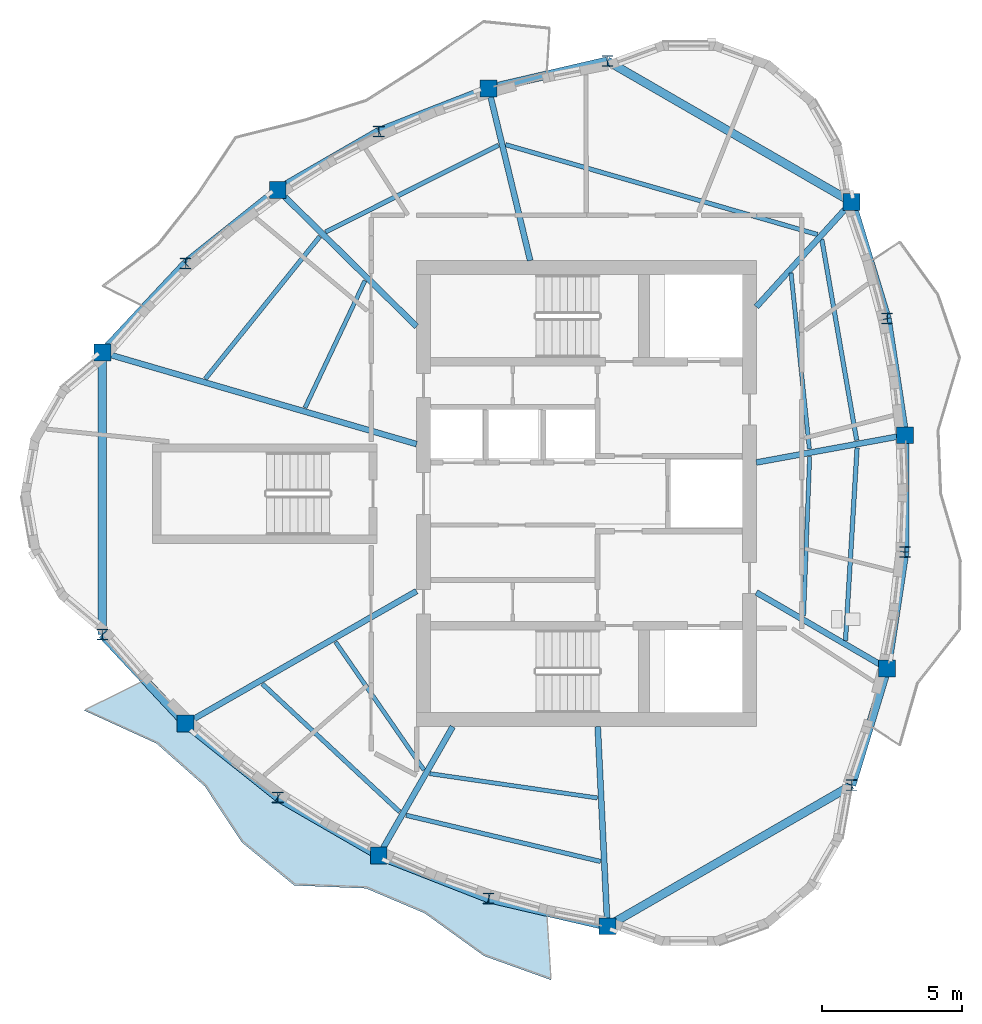
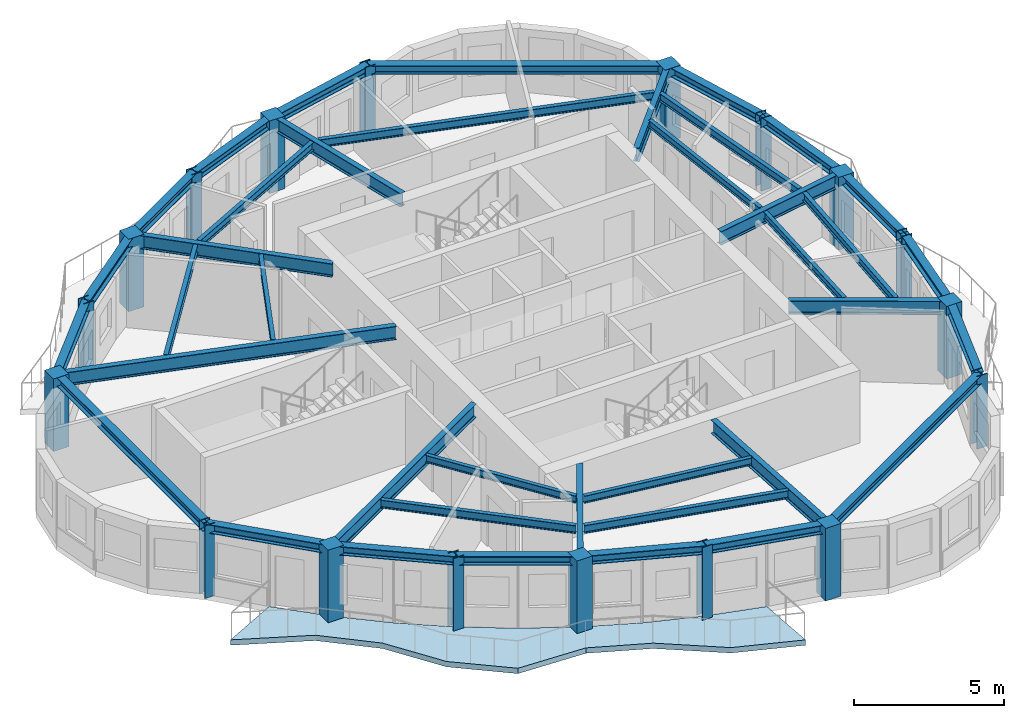
# One storey, part 1 of 11: 39 beams, 18 columns, 1 slab.
"""IFC4 building model written with IfcOpenShell, lengths in metres."""

import ifcopenshell
import ifcopenshell.guid

model = None  # the IFC model being written
_history = None  # IfcOwnerHistory: only IFC2X3 demands one
_inside = {}  # id of a spatial element -> (the spatial element, [elements in it])
_under = {}  # id of a project, library or spatial element -> (it, [spatial elements below it])
_declared = {}  # id of a project -> (the project, [libraries it declares])
_typed = {}  # id of a type object -> (the type object, [elements of that type])
_made_of = {}  # id of a material, layer set ... -> (it, [elements and type objects made of it])


def new_model(schema):
    """Start an empty IFC model of exactly this schema.

    Asked for "IFC4X3", IfcOpenShell would pick the latest addendum, in which some entities
    have other attributes; the version numbers below select the first issue.
    IFC2X3 requires an IfcOwnerHistory on every rooted entity: one is made here for all.
    """
    global model, _history
    if schema == "IFC4X3":
        model = ifcopenshell.file(schema_version=(4, 3, 0, 0))
    else:
        model = ifcopenshell.file(schema=schema)
    _inside.clear()
    _under.clear()
    _declared.clear()
    _typed.clear()
    _made_of.clear()
    _history = None
    if model.schema == "IFC2X3":
        org = make("IfcOrganization", Name="unknown")
        user = make(
            "IfcPersonAndOrganization",
            ThePerson=make("IfcPerson", FamilyName="unknown"),
            TheOrganization=org,
        )
        app = make(
            "IfcApplication",
            ApplicationDeveloper=org,
            Version="unknown",
            ApplicationFullName="unknown",
            ApplicationIdentifier="unknown",
        )
        _history = make(
            "IfcOwnerHistory",
            OwningUser=user,
            OwningApplication=app,
            ChangeAction="ADDED",
            CreationDate=0,
        )
    return model


def make(cls, **values):
    """One entity of the class cls with the attributes given. An attribute that is None is left unset."""
    return model.create_entity(
        cls, **{name: value for name, value in values.items() if value is not None}
    )


def rooted(cls, **values):
    """An entity with a GlobalId (a new one), such as an element, a storey or a relation."""
    return make(cls, GlobalId=ifcopenshell.guid.new(), OwnerHistory=_history, **values)


def si_unit(unit_type, name, prefix=None):
    """IfcSIUnit, for example si_unit("LENGTHUNIT", "METRE", prefix="MILLI")."""
    return make("IfcSIUnit", UnitType=unit_type, Prefix=prefix, Name=name)


def assignment(units):
    """IfcUnitAssignment: the units of a project."""
    return None if units is None else make("IfcUnitAssignment", Units=units)


def point(xyz):
    """IfcCartesianPoint."""
    return None if xyz is None else make("IfcCartesianPoint", Coordinates=xyz)


def direction(xyz):
    """IfcDirection."""
    return None if xyz is None else make("IfcDirection", DirectionRatios=xyz)


def frame(location, z_axis=None, x_axis=None):
    """IfcAxis2Placement3D, a coordinate frame: its origin and axes. An axis left out is left unset."""
    return make(
        "IfcAxis2Placement3D",
        Location=point(location),
        Axis=direction(z_axis),
        RefDirection=direction(x_axis),
    )


def frame_2d(location, x_axis=None):
    """IfcAxis2Placement2D, a coordinate frame in the plane: its origin and x axis."""
    return make(
        "IfcAxis2Placement2D", Location=point(location), RefDirection=direction(x_axis)
    )


def origin():
    """The frame at (0, 0, 0) with its axes left unset."""
    return frame((0.0, 0.0, 0.0))


def origin_2d():
    """The frame at (0, 0) in the plane with its x axis left unset."""
    return frame_2d((0.0, 0.0))


def place(relative_to, where):
    """IfcLocalPlacement: puts the frame where relative to a parent placement (None: the world)."""
    return make(
        "IfcLocalPlacement", PlacementRelTo=relative_to, RelativePlacement=where
    )


def context(
    kind, dimensions, precision=None, world=None, true_north=None, identifier=None
):
    """IfcGeometricRepresentationContext, for example the 3D "Model" context."""
    return make(
        "IfcGeometricRepresentationContext",
        ContextIdentifier=identifier,
        ContextType=kind,
        CoordinateSpaceDimension=dimensions,
        Precision=precision,
        WorldCoordinateSystem=world,
        TrueNorth=true_north,
    )


def subcontext(parent, identifier, kind, view, scale=None):
    """IfcGeometricRepresentationSubContext, for example "Body" below "Model"."""
    return make(
        "IfcGeometricRepresentationSubContext",
        ContextIdentifier=identifier,
        ContextType=kind,
        ParentContext=parent,
        TargetScale=scale,
        TargetView=view,
    )


def project(units=None, contexts=None):
    """IfcProject with its units and contexts."""
    return rooted(
        "IfcProject",
        Name="project",
        RepresentationContexts=contexts,
        UnitsInContext=assignment(units),
    )


def spatial(cls, under=None, at=None, **own):
    """A site, building, storey or space (cls), placed at a placement, below another one or the project."""
    s = rooted(cls, ObjectPlacement=at, **own)
    if under is not None:
        _under.setdefault(under.id(), (under, []))[1].append(s)
    return s


def polyline(points):
    """IfcPolyline through the points."""
    return make("IfcPolyline", Points=[point(p) for p in points])


def profile(cls, at=None, kind="AREA", **sizes):
    """A parametric profile (cls). Its sizes go by their IFC names, for example OverallWidth=200.0."""
    return make(cls, ProfileType=kind, Position=at, **sizes)


def rectangle(**sizes):
    """IfcRectangleProfileDef."""
    return profile("IfcRectangleProfileDef", **sizes)


def i_section(**sizes):
    """IfcIShapeProfileDef."""
    return profile("IfcIShapeProfileDef", **sizes)


def outline(outer, holes=None, kind="AREA"):
    """IfcArbitraryClosedProfileDef: a profile drawn as a closed curve; with holes, ...WithVoids."""
    if holes is None:
        return make("IfcArbitraryClosedProfileDef", ProfileType=kind, OuterCurve=outer)
    return make(
        "IfcArbitraryProfileDefWithVoids",
        ProfileType=kind,
        OuterCurve=outer,
        InnerCurves=holes,
    )


def extrude(swept, where, along, depth):
    """IfcExtrudedAreaSolid: the profile swept, set in the frame where, extruded along a direction by depth."""
    return make(
        "IfcExtrudedAreaSolid",
        SweptArea=swept,
        Position=where,
        ExtrudedDirection=direction(along),
        Depth=depth,
    )


def shape(context_of_items, identifier, shape_type, items):
    """IfcShapeRepresentation: the items that make up one representation, for example the "Body"."""
    return make(
        "IfcShapeRepresentation",
        ContextOfItems=context_of_items,
        RepresentationIdentifier=identifier,
        RepresentationType=shape_type,
        Items=items,
    )


def source(mapping_origin, context_of_items, identifier, shape_type, items):
    """IfcRepresentationMap: a shape defined once, which mapped items show again and again."""
    return make(
        "IfcRepresentationMap",
        MappingOrigin=mapping_origin,
        MappedRepresentation=shape(context_of_items, identifier, shape_type, items),
    )


def transform(
    local_origin,
    x_axis=None,
    y_axis=None,
    z_axis=None,
    scale=None,
    scale2=None,
    scale3=None,
    uniform=True,
):
    """IfcCartesianTransformationOperator3D, or its non-uniform kind. x_axis, y_axis, z_axis: its Axis1, 2, 3."""
    if uniform:
        return make(
            "IfcCartesianTransformationOperator3D",
            Axis1=direction(x_axis),
            Axis2=direction(y_axis),
            LocalOrigin=point(local_origin),
            Scale=scale,
            Axis3=direction(z_axis),
        )
    return make(
        "IfcCartesianTransformationOperator3DnonUniform",
        Axis1=direction(x_axis),
        Axis2=direction(y_axis),
        LocalOrigin=point(local_origin),
        Scale=scale,
        Axis3=direction(z_axis),
        Scale2=scale2,
        Scale3=scale3,
    )


def mapped(mapping_source, mapping_target):
    """IfcMappedItem: shows the shape of a source again, moved by a transform."""
    return make(
        "IfcMappedItem", MappingSource=mapping_source, MappingTarget=mapping_target
    )


def material(Name=None, Category=None):
    """IfcMaterial."""
    return make("IfcMaterial", Name=Name, Category=Category)


def layer(
    of_material, thickness, ventilated=None, Name=None, Category=None, Priority=None
):
    """IfcMaterialLayer: one layer of a wall or slab, of a material (None: an air gap)."""
    return make(
        "IfcMaterialLayer",
        Material=of_material,
        LayerThickness=thickness,
        IsVentilated=ventilated,
        Name=Name,
        Category=Category,
        Priority=Priority,
    )


def layer_set(layers, Name=None):
    """IfcMaterialLayerSet."""
    return make("IfcMaterialLayerSet", MaterialLayers=layers, LayerSetName=Name)


def material_profile(
    of_material, cross_section, Name=None, Category=None, Priority=None
):
    """IfcMaterialProfile: a cross section and its material."""
    return make(
        "IfcMaterialProfile",
        Name=Name,
        Material=of_material,
        Profile=cross_section,
        Priority=Priority,
        Category=Category,
    )


def profile_set(profiles, Name=None, composite=None):
    """IfcMaterialProfileSet."""
    return make(
        "IfcMaterialProfileSet",
        Name=Name,
        MaterialProfiles=profiles,
        CompositeProfile=composite,
    )


def made_of(thing, what):
    """Note that an element or type object is made of a material, layer set ...; save() writes the relation."""
    if what is not None:
        _made_of.setdefault(what.id(), (what, []))[1].append(thing)
    return thing


def type_object(cls, material=None, **own):
    """A type object (cls), such as IfcWallType, which elements share."""
    return made_of(rooted(cls, **own), material)


def element(
    cls,
    number,
    at=None,
    inside=None,
    cuts=None,
    type_object=None,
    material=None,
    context=None,
    identifier="Body",
    shape_type=None,
    held_by="IfcProductDefinitionShape",
    body=None,
    shapes=None,
    **own,
):
    """One element of the class cls, such as IfcWall. Its Tag is "e" and its number.

    at: its placement. inside: the storey or other place that contains it. cuts: it is an
    opening in that element (IfcRelVoidsElement). A single representation is given by context,
    identifier, shape_type and body (its items); several are given by shapes. held_by: the class
    of the entity that holds the representations. save() writes the other relations.
    """
    e = rooted(cls, Tag="e%d" % number, ObjectPlacement=at, **own)
    if body is not None:
        shapes = [shape(context, identifier, shape_type, body)]
    if shapes is not None:
        e.Representation = make(held_by, Representations=shapes)
    if inside is not None:
        _inside.setdefault(inside.id(), (inside, []))[1].append(e)
    if cuts is not None:
        rooted(
            "IfcRelVoidsElement", RelatingBuildingElement=cuts, RelatedOpeningElement=e
        )
    if type_object is not None:
        _typed.setdefault(type_object.id(), (type_object, []))[1].append(e)
    return made_of(e, material)


def aggregate(whole, parts):
    """IfcRelAggregates: a whole, such as a stair, and the parts it consists of."""
    return rooted("IfcRelAggregates", RelatingObject=whole, RelatedObjects=parts)


def save(model, path):
    """Write the relations noted so far, then the file.

    IfcRelAggregates (storeys below a building ...), IfcRelContainedInSpatialStructure (elements
    in a storey), IfcRelDefinesByType, IfcRelAssociatesMaterial and IfcRelDeclares: one each for
    every whole, place, type object, material and project.
    """
    for whole, parts in _under.values():
        aggregate(whole, parts)
    for where, things in _inside.values():
        rooted(
            "IfcRelContainedInSpatialStructure",
            RelatedElements=things,
            RelatingStructure=where,
        )
    for kind, things in _typed.values():
        rooted("IfcRelDefinesByType", RelatedObjects=things, RelatingType=kind)
    for what, things in _made_of.values():
        rooted("IfcRelAssociatesMaterial", RelatedObjects=things, RelatingMaterial=what)
    for by, libraries in _declared.values():
        rooted("IfcRelDeclares", RelatingContext=by, RelatedDefinitions=libraries)
    model.write(path)


model = new_model("IFC4")

# Units and contexts
model_context = context("Model", 3, precision=1e-05, world=origin(), true_north=direction((0.0, 1.0)))
body_context = subcontext(model_context, "Body", "Model", "MODEL_VIEW")
ifc_project = project(units=[si_unit("LENGTHUNIT", "METRE"), si_unit("AREAUNIT", "SQUARE_METRE"), si_unit("VOLUMEUNIT", "CUBIC_METRE"), si_unit("PLANEANGLEUNIT", "RADIAN"), si_unit("MASSUNIT", "GRAM", prefix="KILO")], contexts=[model_context])

# Site, building, storey
site_placement = place(None, origin())
site = spatial("IfcSite", under=ifc_project, at=site_placement, CompositionType="ELEMENT")
building_placement = place(site_placement, origin())
building = spatial("IfcBuilding", under=site, at=building_placement, Name="Qafzar Sky-Pleat Residences", CompositionType="ELEMENT")
storey_placement = place(building_placement, frame((0.0, 0.0, 234.0)))
storey = spatial("IfcBuildingStorey", under=building, at=storey_placement, Name="L70", CompositionType="ELEMENT", Elevation=234.0)

# Columns
ifc_material_1 = material(Name="Concrete C50/60", Category="concrete")
ifc_material_profile_1 = material_profile(ifc_material_1, rectangle(XDim=0.60009765625, YDim=0.60009765625, at=origin_2d()), Name="RC 600x600")
ifc_profile_set_1 = profile_set([ifc_material_profile_1], Name="Concrete C50/60")
column_type_1 = type_object("IfcColumnType", Name="COL-RC-600", PredefinedType="COLUMN", material=ifc_profile_set_1)
shared_shape_1 = source(origin(), body_context, "Body", "SweptSolid", [
    extrude(rectangle(XDim=0.60009765625, YDim=0.60009765625, at=origin_2d()), origin(), (0.0, 0.0, 1.0), 2.9599609375),
])
for number, where, z_axis, x_axis, name in (
    (1, (13.110107421875, 31.02294921875, 0.0), (0.0, 0.0, 1.0), (1.0, 0.0, 0.0), "L70 Perimeter Mega Column 1"),
    (2, (16.07568359375, 17.806884765625, 0.0), (0.0, 0.0, 1.0), (1.0, 0.0, 0.0), "L70 Perimeter Mega Column 3"),
    (3, (22.9541015625, 13.106689453125, 0.0), (0.0, 0.0, 1.0), (1.0, 0.0, 0.0), "L70 Perimeter Mega Column 5"),
    (4, (31.094970703125, 10.593505859375, 0.0), (0.0, 0.0, 1.0), (1.0, 0.0, 0.0), "L70 Perimeter Mega Column 7"),
    (5, (41.0576171875, 19.769775390625, 0.0), (0.0, 0.0, 1.0), (1.0, 0.0, 0.0), "L70 Perimeter Mega Column 9"),
    (6, (41.68896484375, 28.07666015625, 0.0), (0.0, 0.0, 1.0), (1.0, 0.0, 0.0), "L70 Perimeter Mega Column 11"),
    (7, (39.794921875, 36.383544921875, 0.0), (0.0, 0.0, 1.0), (1.0, 0.0, 0.0), "L70 Perimeter Mega Column 13"),
    (8, (26.86669921875, 40.42333984375, 0.0), (0.0, 0.0, 1.0), (1.0, 0.0, 0.0), "L70 Perimeter Mega Column 15"),
    (9, (19.35693359375, 36.816650390625, 0.0), (0.0, 0.0, 1.0), (1.0, 0.0, 0.0), "L70 Perimeter Mega Column 17"),
):
    element("IfcColumn", number, at=place(storey_placement, frame(where, z_axis=z_axis, x_axis=x_axis)), inside=storey, type_object=column_type_1, Name=name, PredefinedType="COLUMN", context=body_context, shape_type="MappedRepresentation", body=[
        mapped(shared_shape_1, transform((0.0, 0.0, 0.0), x_axis=(1.0, 0.0, 0.0), y_axis=(0.0, 1.0, 0.0), z_axis=(0.0, 0.0, 1.0), scale=1.0)),
    ])
ifc_material_2 = material(Name="Steel S355", Category="steel")
ifc_material_profile_2 = material_profile(ifc_material_2, i_section(OverallWidth=0.39794921875, OverallDepth=0.386962890625, WebThickness=0.01904296875, FlangeThickness=0.030029296875, FilletRadius=0.014892578125, at=origin_2d()), Name="HD 400x262")
ifc_profile_set_2 = profile_set([ifc_material_profile_2], Name="Steel S355")
column_type_2 = type_object("IfcColumnType", Name="COL-STL-HD262", PredefinedType="PILASTER", material=ifc_profile_set_2)
shared_shape_2 = source(origin(), body_context, "Body", "SweptSolid", [
    extrude(i_section(OverallWidth=0.39794921875, OverallDepth=0.386962890625, WebThickness=0.01904296875, FlangeThickness=0.030029296875, FilletRadius=0.014892578125, at=origin_2d()), origin(), (0.0, 0.0, 1.0), 2.9599609375),
])
for number, where, z_axis, x_axis, name in (
    (10, (13.110107421875, 20.97705078125, 0.0), (0.0, 0.0, 1.0), (1.0, 0.0, 0.0), "L70 Perimeter Mega Column 2"),
    (11, (19.35693359375, 15.183349609375, 0.0), (0.0, 0.0, 1.0), (1.0, 0.0, 0.0), "L70 Perimeter Mega Column 4"),
    (12, (26.86669921875, 11.57666015625, 0.0), (0.0, 0.0, 1.0), (1.0, 0.0, 0.0), "L70 Perimeter Mega Column 6"),
    (13, (39.794921875, 15.616455078125, 0.0), (0.0, 0.0, 1.0), (1.0, 0.0, 0.0), "L70 Perimeter Mega Column 8"),
    (14, (41.68896484375, 23.92333984375, 0.0), (0.0, 0.0, 1.0), (1.0, 0.0, 0.0), "L70 Perimeter Mega Column 10"),
    (15, (41.0576171875, 32.230224609375, 0.0), (0.0, 0.0, 1.0), (1.0, 0.0, 0.0), "L70 Perimeter Mega Column 12"),
    (16, (31.094970703125, 41.406494140625, 0.0), (0.0, 0.0, 1.0), (1.0, 0.0, 0.0), "L70 Perimeter Mega Column 14"),
    (17, (22.9541015625, 38.893310546875, 0.0), (0.0, 0.0, 1.0), (1.0, 0.0, 0.0), "L70 Perimeter Mega Column 16"),
    (18, (16.07568359375, 34.193115234375, 0.0), (0.0, 0.0, 1.0), (1.0, 0.0, 0.0), "L70 Perimeter Mega Column 18"),
):
    element("IfcColumn", number, at=place(storey_placement, frame(where, z_axis=z_axis, x_axis=x_axis)), inside=storey, type_object=column_type_2, Name=name, PredefinedType="PILASTER", context=body_context, shape_type="MappedRepresentation", body=[
        mapped(shared_shape_2, transform((0.0, 0.0, 0.0), x_axis=(1.0, 0.0, 0.0), y_axis=(0.0, 1.0, 0.0), z_axis=(0.0, 0.0, 1.0), scale=1.0)),
    ])

# Beams
ifc_material_profile_3 = material_profile(ifc_material_2, i_section(OverallWidth=0.300048828125, OverallDepth=0.360107421875, WebThickness=0.012451171875, FlangeThickness=0.0224609375, FilletRadius=0.027099609375, at=origin_2d()), Name="HEB 360")
ifc_profile_set_3 = profile_set([ifc_material_profile_3], Name="Steel S355")
beam_type_1 = type_object("IfcBeamType", Name="BM-SPAN-HEB360", PredefinedType="SPANDREL", material=ifc_profile_set_3)
shared_shape_3 = source(origin(), body_context, "Body", "SweptSolid", [
    extrude(i_section(OverallWidth=0.300048828125, OverallDepth=0.360107421875, WebThickness=0.012451171875, FlangeThickness=0.0224609375, FilletRadius=0.027099609375, at=origin_2d()), origin(), (0.0, 0.0, 1.0), 10.0458984375),
])
for number, where, z_axis, x_axis, name in (
    (19, (13.110107421875, 31.02294921875, 2.778076171875), (0.0, -1.0, 0.0), (1.0, 0.0, 0.0), "L70 Perimeter Spandrel Beam 1"),
    (20, (31.094970703125, 10.593505859375, 2.778076171875), (0.866024107753, 0.500002244785, 0.0), (-0.500002244785, 0.866024107753, 0.0), "L70 Perimeter Spandrel Beam 7"),
    (21, (39.794921875, 36.383544921875, 2.778076171875), (-0.866024107753, 0.500002244785, 0.0), (-0.500002244785, -0.866024107753, 0.0), "L70 Perimeter Spandrel Beam 13"),
):
    element("IfcBeam", number, at=place(storey_placement, frame(where, z_axis=z_axis, x_axis=x_axis)), inside=storey, type_object=beam_type_1, Name=name, PredefinedType="SPANDREL", context=body_context, shape_type="MappedRepresentation", body=[
        mapped(shared_shape_3, transform((0.0, 0.0, 0.0), x_axis=(1.0, 0.0, 0.0), y_axis=(0.0, 1.0, 0.0), z_axis=(0.0, 0.0, 1.0), scale=1.0)),
    ])
shared_shape_4 = source(origin(), body_context, "Body", "SweptSolid", [
    extrude(i_section(OverallWidth=0.300048828125, OverallDepth=0.360107421875, WebThickness=0.012451171875, FlangeThickness=0.0224609375, FilletRadius=0.027099609375, at=origin_2d()), origin(), (0.0, 0.0, 1.0), 4.341064453125),
])
for number, where, z_axis, x_axis, name in (
    (22, (13.110107421875, 20.97705078125, 2.778076171875), (0.683149388691, -0.730278654166, 0.0), (0.730278654166, 0.683149388691, 0.0), "L70 Perimeter Spandrel Beam 2"),
    (23, (26.86669921875, 11.57666015625, 2.778076171875), (0.974016394528, -0.226477511448, 0.0), (0.226477511448, 0.974016394528, 0.0), "L70 Perimeter Spandrel Beam 6"),
    (24, (39.794921875, 15.616455078125, 2.778076171875), (0.290875146636, 0.956761019832, 0.0), (-0.956761019832, 0.290875146636, 0.0), "L70 Perimeter Spandrel Beam 8"),
    (25, (41.0576171875, 32.230224609375, 2.778076171875), (-0.290875146636, 0.956761019832, 0.0), (-0.956761019832, -0.290875146636, 0.0), "L70 Perimeter Spandrel Beam 12"),
    (26, (31.094970703125, 41.406494140625, 2.778076171875), (-0.974016394528, -0.226477511448, 0.0), (0.226477511448, -0.974016394528, 0.0), "L70 Perimeter Spandrel Beam 14"),
    (27, (16.07568359375, 34.193115234375, 2.778076171875), (-0.683149388691, -0.730278654166, 0.0), (0.730278654166, -0.683149388691, 0.0), "L70 Perimeter Spandrel Beam 18"),
):
    element("IfcBeam", number, at=place(storey_placement, frame(where, z_axis=z_axis, x_axis=x_axis)), inside=storey, type_object=beam_type_1, Name=name, PredefinedType="SPANDREL", context=body_context, shape_type="MappedRepresentation", body=[
        mapped(shared_shape_4, transform((0.0, 0.0, 0.0), x_axis=(1.0, 0.0, 0.0), y_axis=(0.0, 1.0, 0.0), z_axis=(0.0, 0.0, 1.0), scale=1.0)),
    ])
shared_shape_5 = source(origin(), body_context, "Body", "SweptSolid", [
    extrude(i_section(OverallWidth=0.300048828125, OverallDepth=0.360107421875, WebThickness=0.012451171875, FlangeThickness=0.0224609375, FilletRadius=0.027099609375, at=origin_2d()), origin(), (0.0, 0.0, 1.0), 4.201171875),
])
for number, where, z_axis, x_axis, name in (
    (28, (16.07568359375, 17.806884765625, 2.778076171875), (0.781038867361, -0.624482415823, 0.0), (0.624482415823, 0.781038867361, 0.0), "L70 Perimeter Spandrel Beam 3"),
    (29, (22.9541015625, 13.106689453125, 2.778076171875), (0.931322496372, -0.364195562509, 0.0), (0.364195562509, 0.931322496372, 0.0), "L70 Perimeter Spandrel Beam 5"),
    (30, (41.0576171875, 19.769775390625, 2.778076171875), (0.15027531127, 0.98864418818, 0.0), (-0.98864418818, 0.15027531127, 0.0), "L70 Perimeter Spandrel Beam 9"),
    (31, (41.68896484375, 28.07666015625, 2.778076171875), (-0.15027531127, 0.98864418818, 0.0), (-0.98864418818, -0.15027531127, 0.0), "L70 Perimeter Spandrel Beam 11"),
    (32, (26.86669921875, 40.42333984375, 2.778076171875), (-0.931322496372, -0.364195562509, 0.0), (0.364195562509, -0.931322496372, 0.0), "L70 Perimeter Spandrel Beam 15"),
    (33, (19.35693359375, 36.816650390625, 2.778076171875), (-0.781038867361, -0.624482415823, 0.0), (0.624482415823, -0.781038867361, 0.0), "L70 Perimeter Spandrel Beam 17"),
):
    element("IfcBeam", number, at=place(storey_placement, frame(where, z_axis=z_axis, x_axis=x_axis)), inside=storey, type_object=beam_type_1, Name=name, PredefinedType="SPANDREL", context=body_context, shape_type="MappedRepresentation", body=[
        mapped(shared_shape_5, transform((0.0, 0.0, 0.0), x_axis=(1.0, 0.0, 0.0), y_axis=(0.0, 1.0, 0.0), z_axis=(0.0, 0.0, 1.0), scale=1.0)),
    ])
shared_shape_6 = source(origin(), body_context, "Body", "SweptSolid", [
    extrude(i_section(OverallWidth=0.300048828125, OverallDepth=0.360107421875, WebThickness=0.012451171875, FlangeThickness=0.0224609375, FilletRadius=0.027099609375, at=origin_2d()), origin(), (0.0, 0.0, 1.0), 4.153564453125),
])
for number, where, z_axis, x_axis, name in (
    (34, (19.35693359375, 15.183349609375, 2.778076171875), (0.866042681666, -0.499970072638, 0.0), (0.499970072638, 0.866042681666, 0.0), "L70 Perimeter Spandrel Beam 4"),
    (35, (22.9541015625, 38.893310546875, 2.778076171875), (-0.866042681666, -0.499970072638, 0.0), (0.499970072638, -0.866042681666, 0.0), "L70 Perimeter Spandrel Beam 16"),
):
    element("IfcBeam", number, at=place(storey_placement, frame(where, z_axis=z_axis, x_axis=x_axis)), inside=storey, type_object=beam_type_1, Name=name, PredefinedType="SPANDREL", context=body_context, shape_type="MappedRepresentation", body=[
        mapped(shared_shape_6, transform((0.0, 0.0, 0.0), x_axis=(1.0, 0.0, 0.0), y_axis=(0.0, 1.0, 0.0), z_axis=(0.0, 0.0, 1.0), scale=1.0)),
    ])
shared_shape_7 = source(origin(), body_context, "Body", "SweptSolid", [
    extrude(i_section(OverallWidth=0.300048828125, OverallDepth=0.360107421875, WebThickness=0.012451171875, FlangeThickness=0.0224609375, FilletRadius=0.027099609375, at=origin_2d()), origin(), (0.0, 0.0, 1.0), 4.1533203125),
])
beam_1_placement = place(storey_placement, frame((41.68896484375, 23.92333984375, 2.778076171875), z_axis=(0.0, 1.0, 0.0), x_axis=(-1.0, 0.0, 0.0)))
element("IfcBeam", 36, at=beam_1_placement, inside=storey, type_object=beam_type_1, Name="L70 Perimeter Spandrel Beam 10", PredefinedType="SPANDREL", context=body_context, shape_type="MappedRepresentation", body=[
    mapped(shared_shape_7, transform((0.0, 0.0, 0.0), x_axis=(1.0, 0.0, 0.0), y_axis=(0.0, 1.0, 0.0), z_axis=(0.0, 0.0, 1.0), scale=1.0)),
])
ifc_material_profile_4 = material_profile(ifc_material_2, i_section(OverallWidth=0.2099609375, OverallDepth=0.550048828125, WebThickness=0.010986328125, FlangeThickness=0.01708984375, FilletRadius=0.02392578125, at=origin_2d()), Name="IPE 550")
ifc_profile_set_4 = profile_set([ifc_material_profile_4], Name="Steel S355")
beam_type_2 = type_object("IfcBeamType", Name="BM-SEC-IPE550", PredefinedType="BEAM", material=ifc_profile_set_4)
shared_shape_8 = source(origin(), body_context, "Body", "SweptSolid", [
    extrude(i_section(OverallWidth=0.2099609375, OverallDepth=0.550048828125, WebThickness=0.010986328125, FlangeThickness=0.01708984375, FilletRadius=0.02392578125, at=origin_2d()), origin(), (0.0, 0.0, 1.0), 11.6552734375),
])
beam_2_placement = place(storey_placement, frame((13.110107421875, 31.02294921875, 2.68310546875), z_axis=(0.96008019559, -0.279724897061, 0.0), x_axis=(0.279724897061, 0.96008019559, 0.0)))
element("IfcBeam", 37, at=beam_2_placement, inside=storey, type_object=beam_type_2, Name="L70 Radial Floor Girder 1", PredefinedType="BEAM", context=body_context, shape_type="MappedRepresentation", body=[
    mapped(shared_shape_8, transform((0.0, 0.0, 0.0), x_axis=(1.0, 0.0, 0.0), y_axis=(0.0, 1.0, 0.0), z_axis=(0.0, 0.0, 1.0), scale=1.0)),
])
shared_shape_9 = source(origin(), body_context, "Body", "SweptSolid", [
    extrude(i_section(OverallWidth=0.2099609375, OverallDepth=0.550048828125, WebThickness=0.010986328125, FlangeThickness=0.01708984375, FilletRadius=0.02392578125, at=origin_2d()), origin(), (0.0, 0.0, 1.0), 9.482666015625),
])
beam_3_placement = place(storey_placement, frame((16.07568359375, 17.806884765625, 2.68310546875), z_axis=(0.867295706559, 0.497793287806, 0.0), x_axis=(-0.497793287806, 0.867295706559, 0.0)))
element("IfcBeam", 38, at=beam_3_placement, inside=storey, type_object=beam_type_2, Name="L70 Radial Floor Girder 3", PredefinedType="BEAM", context=body_context, shape_type="MappedRepresentation", body=[
    mapped(shared_shape_9, transform((0.0, 0.0, 0.0), x_axis=(1.0, 0.0, 0.0), y_axis=(0.0, 1.0, 0.0), z_axis=(0.0, 0.0, 1.0), scale=1.0)),
])
shared_shape_10 = source(origin(), body_context, "Body", "SweptSolid", [
    extrude(i_section(OverallWidth=0.2099609375, OverallDepth=0.550048828125, WebThickness=0.010986328125, FlangeThickness=0.01708984375, FilletRadius=0.02392578125, at=origin_2d()), origin(), (0.0, 0.0, 1.0), 5.295166015625),
])
beam_4_placement = place(storey_placement, frame((22.9541015625, 13.106689453125, 2.68310546875), z_axis=(0.497568238618, 0.867424837043, 0.0), x_axis=(-0.867424837043, 0.497568238618, 0.0)))
element("IfcBeam", 39, at=beam_4_placement, inside=storey, type_object=beam_type_2, Name="L70 Radial Floor Girder 5", PredefinedType="BEAM", context=body_context, shape_type="MappedRepresentation", body=[
    mapped(shared_shape_10, transform((0.0, 0.0, 0.0), x_axis=(1.0, 0.0, 0.0), y_axis=(0.0, 1.0, 0.0), z_axis=(0.0, 0.0, 1.0), scale=1.0)),
])
shared_shape_11 = source(origin(), body_context, "Body", "SweptSolid", [
    extrude(i_section(OverallWidth=0.2099609375, OverallDepth=0.550048828125, WebThickness=0.010986328125, FlangeThickness=0.01708984375, FilletRadius=0.02392578125, at=origin_2d()), origin(), (0.0, 0.0, 1.0), 7.11474609375),
])
beam_5_placement = place(storey_placement, frame((31.094970703125, 10.593505859375, 2.68310546875), z_axis=(-0.048280855979, 0.998833799461, 0.0), x_axis=(-0.998833799461, -0.048280855979, 0.0)))
element("IfcBeam", 40, at=beam_5_placement, inside=storey, type_object=beam_type_2, Name="L70 Radial Floor Girder 7", PredefinedType="BEAM", context=body_context, shape_type="MappedRepresentation", body=[
    mapped(shared_shape_11, transform((0.0, 0.0, 0.0), x_axis=(1.0, 0.0, 0.0), y_axis=(0.0, 1.0, 0.0), z_axis=(0.0, 0.0, 1.0), scale=1.0)),
])
shared_shape_12 = source(origin(), body_context, "Body", "SweptSolid", [
    extrude(i_section(OverallWidth=0.2099609375, OverallDepth=0.550048828125, WebThickness=0.010986328125, FlangeThickness=0.01708984375, FilletRadius=0.02392578125, at=origin_2d()), origin(), (0.0, 0.0, 1.0), 5.388916015625),
])
beam_6_placement = place(storey_placement, frame((41.0576171875, 19.769775390625, 2.68310546875), z_axis=(-0.864327211809, 0.502929886691, 0.0), x_axis=(-0.502929886691, -0.864327211809, 0.0)))
element("IfcBeam", 41, at=beam_6_placement, inside=storey, type_object=beam_type_2, Name="L70 Radial Floor Girder 9", PredefinedType="BEAM", context=body_context, shape_type="MappedRepresentation", body=[
    mapped(shared_shape_12, transform((0.0, 0.0, 0.0), x_axis=(1.0, 0.0, 0.0), y_axis=(0.0, 1.0, 0.0), z_axis=(0.0, 0.0, 1.0), scale=1.0)),
])
shared_shape_13 = source(origin(), body_context, "Body", "SweptSolid", [
    extrude(i_section(OverallWidth=0.2099609375, OverallDepth=0.550048828125, WebThickness=0.010986328125, FlangeThickness=0.01708984375, FilletRadius=0.02392578125, at=origin_2d()), origin(), (0.0, 0.0, 1.0), 5.376953125),
])
beam_7_placement = place(storey_placement, frame((41.68896484375, 28.07666015625, 2.68310546875), z_axis=(-0.983636609804, -0.180163869447, 0.0), x_axis=(0.180163869447, -0.983636609804, 0.0)))
element("IfcBeam", 42, at=beam_7_placement, inside=storey, type_object=beam_type_2, Name="L70 Radial Floor Girder 11", PredefinedType="BEAM", context=body_context, shape_type="MappedRepresentation", body=[
    mapped(shared_shape_13, transform((0.0, 0.0, 0.0), x_axis=(1.0, 0.0, 0.0), y_axis=(0.0, 1.0, 0.0), z_axis=(0.0, 0.0, 1.0), scale=1.0)),
])
shared_shape_14 = source(origin(), body_context, "Body", "SweptSolid", [
    extrude(i_section(OverallWidth=0.2099609375, OverallDepth=0.550048828125, WebThickness=0.010986328125, FlangeThickness=0.01708984375, FilletRadius=0.02392578125, at=origin_2d()), origin(), (0.0, 0.0, 1.0), 5.04541015625),
])
beam_8_placement = place(storey_placement, frame((39.794921875, 36.383544921875, 2.68310546875), z_axis=(-0.672879893437, -0.739751748229, 0.0), x_axis=(0.739751748229, -0.672879893437, 0.0)))
element("IfcBeam", 43, at=beam_8_placement, inside=storey, type_object=beam_type_2, Name="L70 Radial Floor Girder 13", PredefinedType="BEAM", context=body_context, shape_type="MappedRepresentation", body=[
    mapped(shared_shape_14, transform((0.0, 0.0, 0.0), x_axis=(1.0, 0.0, 0.0), y_axis=(0.0, 1.0, 0.0), z_axis=(0.0, 0.0, 1.0), scale=1.0)),
])
shared_shape_15 = source(origin(), body_context, "Body", "SweptSolid", [
    extrude(i_section(OverallWidth=0.2099609375, OverallDepth=0.550048828125, WebThickness=0.010986328125, FlangeThickness=0.01708984375, FilletRadius=0.02392578125, at=origin_2d()), origin(), (0.0, 0.0, 1.0), 6.29931640625),
])
beam_9_placement = place(storey_placement, frame((26.86669921875, 40.42333984375, 2.68310546875), z_axis=(0.234749137403, -0.972055987322, 0.0), x_axis=(0.972055987322, 0.234749137403, 0.0)))
element("IfcBeam", 44, at=beam_9_placement, inside=storey, type_object=beam_type_2, Name="L70 Radial Floor Girder 15", PredefinedType="BEAM", context=body_context, shape_type="MappedRepresentation", body=[
    mapped(shared_shape_15, transform((0.0, 0.0, 0.0), x_axis=(1.0, 0.0, 0.0), y_axis=(0.0, 1.0, 0.0), z_axis=(0.0, 0.0, 1.0), scale=1.0)),
])
shared_shape_16 = source(origin(), body_context, "Body", "SweptSolid", [
    extrude(i_section(OverallWidth=0.2099609375, OverallDepth=0.550048828125, WebThickness=0.010986328125, FlangeThickness=0.01708984375, FilletRadius=0.02392578125, at=origin_2d()), origin(), (0.0, 0.0, 1.0), 6.934814453125),
])
beam_10_placement = place(storey_placement, frame((19.35693359375, 36.816650390625, 2.68310546875), z_axis=(0.712804522082, -0.701362754429, 0.0), x_axis=(0.701362754429, 0.712804522082, 0.0)))
element("IfcBeam", 45, at=beam_10_placement, inside=storey, type_object=beam_type_2, Name="L70 Radial Floor Girder 17", PredefinedType="BEAM", context=body_context, shape_type="MappedRepresentation", body=[
    mapped(shared_shape_16, transform((0.0, 0.0, 0.0), x_axis=(1.0, 0.0, 0.0), y_axis=(0.0, 1.0, 0.0), z_axis=(0.0, 0.0, 1.0), scale=1.0)),
])
ifc_material_profile_5 = material_profile(ifc_material_2, i_section(OverallWidth=0.159912109375, OverallDepth=0.330078125, WebThickness=0.007568359375, FlangeThickness=0.011474609375, FilletRadius=0.01806640625, at=origin_2d()), Name="IPE 330")
ifc_profile_set_5 = profile_set([ifc_material_profile_5], Name="Steel S355")
beam_type_3 = type_object("IfcBeamType", Name="BM-JST-IPE330", PredefinedType="JOIST", material=ifc_profile_set_5)
shared_shape_17 = source(origin(), body_context, "Body", "SweptSolid", [
    extrude(i_section(OverallWidth=0.159912109375, OverallDepth=0.330078125, WebThickness=0.007568359375, FlangeThickness=0.011474609375, FilletRadius=0.01806640625, at=origin_2d()), origin(), (0.0, 0.0, 1.0), 6.685546875),
])
beam_11_placement = place(storey_placement, frame((18.806396484375, 19.225341796875, 2.79296875), z_axis=(0.731731300934, -0.681593209498, 0.0), x_axis=(0.681593209498, 0.731731300934, 0.0)))
element("IfcBeam", 46, at=beam_11_placement, inside=storey, type_object=beam_type_3, Name="L70 Outer Secondary Floor Joist 2", PredefinedType="JOIST", context=body_context, shape_type="MappedRepresentation", body=[
    mapped(shared_shape_17, transform((0.0, 0.0, 0.0), x_axis=(1.0, 0.0, 0.0), y_axis=(0.0, 1.0, 0.0), z_axis=(0.0, 0.0, 1.0), scale=1.0)),
])
shared_shape_18 = source(origin(), body_context, "Body", "SweptSolid", [
    extrude(i_section(OverallWidth=0.159912109375, OverallDepth=0.330078125, WebThickness=0.007568359375, FlangeThickness=0.011474609375, FilletRadius=0.01806640625, at=origin_2d()), origin(), (0.0, 0.0, 1.0), 7.118408203125),
])
beam_12_placement = place(storey_placement, frame((23.928466796875, 14.54541015625, 2.79296875), z_axis=(0.972874251861, -0.231334584672, 0.0), x_axis=(0.231334584672, 0.972874251861, 0.0)))
element("IfcBeam", 47, at=beam_12_placement, inside=storey, type_object=beam_type_3, Name="L70 Outer Secondary Floor Joist 3", PredefinedType="JOIST", context=body_context, shape_type="MappedRepresentation", body=[
    mapped(shared_shape_18, transform((0.0, 0.0, 0.0), x_axis=(1.0, 0.0, 0.0), y_axis=(0.0, 1.0, 0.0), z_axis=(0.0, 0.0, 1.0), scale=1.0)),
])
shared_shape_19 = source(origin(), body_context, "Body", "SweptSolid", [
    extrude(i_section(OverallWidth=0.159912109375, OverallDepth=0.330078125, WebThickness=0.007568359375, FlangeThickness=0.011474609375, FilletRadius=0.01806640625, at=origin_2d()), origin(), (0.0, 0.0, 1.0), 6.872802734375),
])
beam_13_placement = place(storey_placement, frame((39.5751953125, 20.771728515625, 2.79296875), z_axis=(0.06010466193, 0.998192080521, 0.0), x_axis=(-0.998192080521, 0.06010466193, 0.0)))
element("IfcBeam", 48, at=beam_13_placement, inside=storey, type_object=beam_type_3, Name="L70 Outer Secondary Floor Joist 5", PredefinedType="JOIST", context=body_context, shape_type="MappedRepresentation", body=[
    mapped(shared_shape_19, transform((0.0, 0.0, 0.0), x_axis=(1.0, 0.0, 0.0), y_axis=(0.0, 1.0, 0.0), z_axis=(0.0, 0.0, 1.0), scale=1.0)),
])
shared_shape_20 = source(origin(), body_context, "Body", "SweptSolid", [
    extrude(i_section(OverallWidth=0.159912109375, OverallDepth=0.330078125, WebThickness=0.007568359375, FlangeThickness=0.011474609375, FilletRadius=0.01806640625, at=origin_2d()), origin(), (0.0, 0.0, 1.0), 7.263427734375),
])
beam_14_placement = place(storey_placement, frame((39.973388671875, 27.899658203125, 2.79296875), z_axis=(-0.170952491458, 0.985279272929, 0.0), x_axis=(-0.985279272929, -0.170952491458, 0.0)))
element("IfcBeam", 49, at=beam_14_placement, inside=storey, type_object=beam_type_3, Name="L70 Outer Secondary Floor Joist 6", PredefinedType="JOIST", context=body_context, shape_type="MappedRepresentation", body=[
    mapped(shared_shape_20, transform((0.0, 0.0, 0.0), x_axis=(1.0, 0.0, 0.0), y_axis=(0.0, 1.0, 0.0), z_axis=(0.0, 0.0, 1.0), scale=1.0)),
])
shared_shape_21 = source(origin(), body_context, "Body", "SweptSolid", [
    extrude(i_section(OverallWidth=0.159912109375, OverallDepth=0.330078125, WebThickness=0.007568359375, FlangeThickness=0.011474609375, FilletRadius=0.01806640625, at=origin_2d()), origin(), (0.0, 0.0, 1.0), 11.56103515625),
])
beam_15_placement = place(storey_placement, frame((38.578857421875, 35.2265625, 2.79296875), z_axis=(-0.960931233069, 0.276787220285, 0.0), x_axis=(-0.276787220285, -0.960931233069, 0.0)))
element("IfcBeam", 50, at=beam_15_placement, inside=storey, type_object=beam_type_3, Name="L70 Outer Secondary Floor Joist 7", PredefinedType="JOIST", context=body_context, shape_type="MappedRepresentation", body=[
    mapped(shared_shape_21, transform((0.0, 0.0, 0.0), x_axis=(1.0, 0.0, 0.0), y_axis=(0.0, 1.0, 0.0), z_axis=(0.0, 0.0, 1.0), scale=1.0)),
])
shared_shape_22 = source(origin(), body_context, "Body", "SweptSolid", [
    extrude(i_section(OverallWidth=0.159912109375, OverallDepth=0.330078125, WebThickness=0.007568359375, FlangeThickness=0.011474609375, FilletRadius=0.01806640625, at=origin_2d()), origin(), (0.0, 0.0, 1.0), 6.88818359375),
])
beam_16_placement = place(storey_placement, frame((27.21923828125, 38.403564453125, 2.79296875), z_axis=(-0.894242808162, -0.447582171283, 0.0), x_axis=(0.447582171283, -0.894242808162, 0.0)))
element("IfcBeam", 51, at=beam_16_placement, inside=storey, type_object=beam_type_3, Name="L70 Outer Secondary Floor Joist 8", PredefinedType="JOIST", context=body_context, shape_type="MappedRepresentation", body=[
    mapped(shared_shape_22, transform((0.0, 0.0, 0.0), x_axis=(1.0, 0.0, 0.0), y_axis=(0.0, 1.0, 0.0), z_axis=(0.0, 0.0, 1.0), scale=1.0)),
])
shared_shape_23 = source(origin(), body_context, "Body", "SweptSolid", [
    extrude(i_section(OverallWidth=0.159912109375, OverallDepth=0.330078125, WebThickness=0.007568359375, FlangeThickness=0.011474609375, FilletRadius=0.01806640625, at=origin_2d()), origin(), (0.0, 0.0, 1.0), 6.507080078125),
])
beam_17_placement = place(storey_placement, frame((20.85400390625, 35.155029296875, 2.79296875), z_axis=(-0.626788357925, -0.779189549705, 0.0), x_axis=(0.779189549705, -0.626788357925, 0.0)))
element("IfcBeam", 52, at=beam_17_placement, inside=storey, type_object=beam_type_3, Name="L70 Outer Secondary Floor Joist 9", PredefinedType="JOIST", context=body_context, shape_type="MappedRepresentation", body=[
    mapped(shared_shape_23, transform((0.0, 0.0, 0.0), x_axis=(1.0, 0.0, 0.0), y_axis=(0.0, 1.0, 0.0), z_axis=(0.0, 0.0, 1.0), scale=1.0)),
])
ifc_material_profile_6 = material_profile(ifc_material_2, i_section(OverallWidth=0.14990234375, OverallDepth=0.300048828125, WebThickness=0.007080078125, FlangeThickness=0.0107421875, FilletRadius=0.014892578125, at=origin_2d()), Name="IPE 300")
ifc_profile_set_6 = profile_set([ifc_material_profile_6], Name="Steel S355")
beam_type_4 = type_object("IfcBeamType", Name="BM-JST-IPE300", PredefinedType="JOIST", material=ifc_profile_set_6)
shared_shape_24 = source(origin(), body_context, "Body", "SweptSolid", [
    extrude(i_section(OverallWidth=0.14990234375, OverallDepth=0.300048828125, WebThickness=0.007080078125, FlangeThickness=0.0107421875, FilletRadius=0.014892578125, at=origin_2d()), origin(), (0.0, 0.0, 1.0), 5.540283203125),
])
beam_18_placement = place(storey_placement, frame((21.416015625, 20.716796875, 2.80810546875), z_axis=(0.568141693814, -0.822930747846, 0.0), x_axis=(0.822930747846, 0.568141693814, 0.0)))
element("IfcBeam", 53, at=beam_18_placement, inside=storey, type_object=beam_type_4, Name="L70 Inner Secondary Floor Joist 2", PredefinedType="JOIST", context=body_context, shape_type="MappedRepresentation", body=[
    mapped(shared_shape_24, transform((0.0, 0.0, 0.0), x_axis=(1.0, 0.0, 0.0), y_axis=(0.0, 1.0, 0.0), z_axis=(0.0, 0.0, 1.0), scale=1.0)),
])
shared_shape_25 = source(origin(), body_context, "Body", "SweptSolid", [
    extrude(i_section(OverallWidth=0.14990234375, OverallDepth=0.300048828125, WebThickness=0.007080078125, FlangeThickness=0.0107421875, FilletRadius=0.014892578125, at=origin_2d()), origin(), (0.0, 0.0, 1.0), 6.030029296875),
])
beam_19_placement = place(storey_placement, frame((24.77392578125, 16.027099609375, 2.80810546875), z_axis=(0.989628757921, -0.143648604226, 0.0), x_axis=(0.143648604226, 0.989628757921, 0.0)))
element("IfcBeam", 54, at=beam_19_placement, inside=storey, type_object=beam_type_4, Name="L70 Inner Secondary Floor Joist 3", PredefinedType="JOIST", context=body_context, shape_type="MappedRepresentation", body=[
    mapped(shared_shape_25, transform((0.0, 0.0, 0.0), x_axis=(1.0, 0.0, 0.0), y_axis=(0.0, 1.0, 0.0), z_axis=(0.0, 0.0, 1.0), scale=1.0)),
])
shared_shape_26 = source(origin(), body_context, "Body", "SweptSolid", [
    extrude(i_section(OverallWidth=0.14990234375, OverallDepth=0.300048828125, WebThickness=0.007080078125, FlangeThickness=0.0107421875, FilletRadius=0.014892578125, at=origin_2d()), origin(), (0.0, 0.0, 1.0), 5.686767578125),
])
beam_20_placement = place(storey_placement, frame((38.081787109375, 21.63916015625, 2.80810546875), z_axis=(0.038166020162, 0.999271412032, 0.0), x_axis=(-0.999271412032, 0.038166020162, 0.0)))
element("IfcBeam", 55, at=beam_20_placement, inside=storey, type_object=beam_type_4, Name="L70 Inner Secondary Floor Joist 5", PredefinedType="JOIST", context=body_context, shape_type="MappedRepresentation", body=[
    mapped(shared_shape_26, transform((0.0, 0.0, 0.0), x_axis=(1.0, 0.0, 0.0), y_axis=(0.0, 1.0, 0.0), z_axis=(0.0, 0.0, 1.0), scale=1.0)),
])
shared_shape_27 = source(origin(), body_context, "Body", "SweptSolid", [
    extrude(i_section(OverallWidth=0.14990234375, OverallDepth=0.300048828125, WebThickness=0.007080078125, FlangeThickness=0.0107421875, FilletRadius=0.014892578125, at=origin_2d()), origin(), (0.0, 0.0, 1.0), 6.303466796875),
])
beam_21_placement = place(storey_placement, frame((38.2900390625, 27.591064453125, 2.80810546875), z_axis=(-0.103721028673, 0.9946064288, 0.0), x_axis=(-0.9946064288, -0.103721028673, 0.0)))
element("IfcBeam", 56, at=beam_21_placement, inside=storey, type_object=beam_type_4, Name="L70 Inner Secondary Floor Joist 6", PredefinedType="JOIST", context=body_context, shape_type="MappedRepresentation", body=[
    mapped(shared_shape_27, transform((0.0, 0.0, 0.0), x_axis=(1.0, 0.0, 0.0), y_axis=(0.0, 1.0, 0.0), z_axis=(0.0, 0.0, 1.0), scale=1.0)),
])
shared_shape_28 = source(origin(), body_context, "Body", "SweptSolid", [
    extrude(i_section(OverallWidth=0.14990234375, OverallDepth=0.300048828125, WebThickness=0.007080078125, FlangeThickness=0.0107421875, FilletRadius=0.014892578125, at=origin_2d()), origin(), (0.0, 0.0, 1.0), 5.001220703125),
])
beam_22_placement = place(storey_placement, frame((22.462890625, 33.581787109375, 2.80810546875), z_axis=(-0.426652579421, -0.90441559942, 0.0), x_axis=(0.90441559942, -0.426652579421, 0.0)))
element("IfcBeam", 57, at=beam_22_placement, inside=storey, type_object=beam_type_4, Name="L70 Inner Secondary Floor Joist 9", PredefinedType="JOIST", context=body_context, shape_type="MappedRepresentation", body=[
    mapped(shared_shape_28, transform((0.0, 0.0, 0.0), x_axis=(1.0, 0.0, 0.0), y_axis=(0.0, 1.0, 0.0), z_axis=(0.0, 0.0, 1.0), scale=1.0)),
])

# Slab
ifc_material_3 = material(Name="Concrete C40/50", Category="concrete")
ifc_layer = layer(ifc_material_3, 0.219970703125)
ifc_layer_set = layer_set([ifc_layer], Name="Concrete C40/50")
slab_type = type_object("IfcSlabType", Name="SLAB-BAL-220", PredefinedType="USERDEFINED", material=ifc_layer_set)
slab_placement = place(storey_placement, frame((0.0, 0.0, -0.219970703125)))
element("IfcSlab", 58, at=slab_placement, inside=storey, type_object=slab_type, Name="L70 Pleated Stone Balcony 3", ObjectType="BALCONY", PredefinedType="USERDEFINED", context=body_context, shape_type="SweptSolid", body=[
    extrude(outline(polyline([(16.06591796875, 17.800048828125), (17.668212890625, 16.418701171875), (19.349609375, 15.174072265625), (21.110107421875, 14.06640625), (22.94970703125, 13.095458984375), (24.8681640625, 12.26171875), (26.86572265625, 11.564697265625), (28.942138671875, 11.004638671875), (29.08837890625, 8.678466796875), (26.7060546875, 9.532958984375), (24.593017578125, 11.0546875), (22.498291015625, 11.942626953125), (19.944580078125, 12.0478515625), (18.077392578125, 13.581787109375), (16.760498046875, 15.576904296875), (15.04541015625, 17.098876953125), (12.455078125, 18.28173828125), (14.542724609375, 19.318359375), (16.06591796875, 17.800048828125)])), origin(), (0.0, 0.0, 1.0), 0.219970703125),
])

save(model, "model.ifc")
